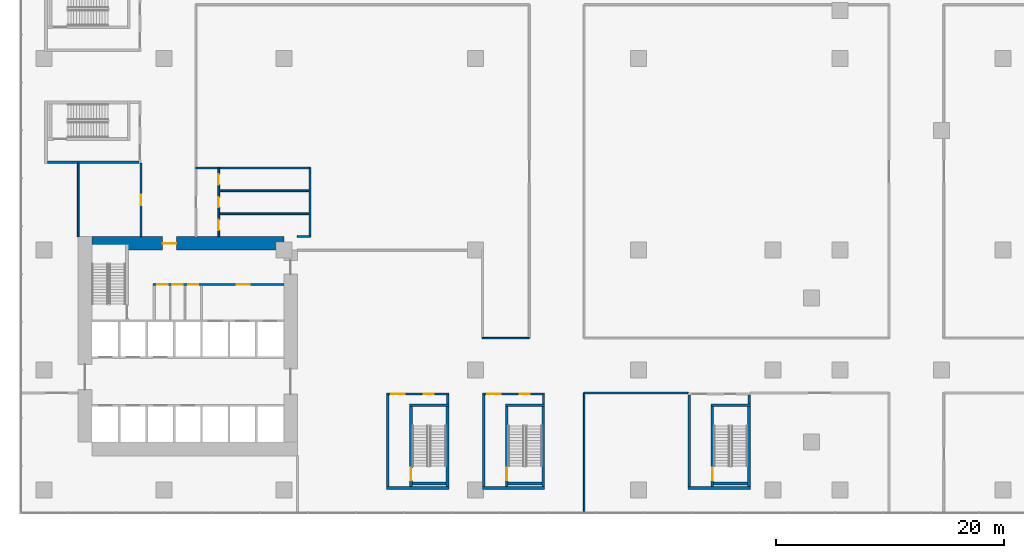
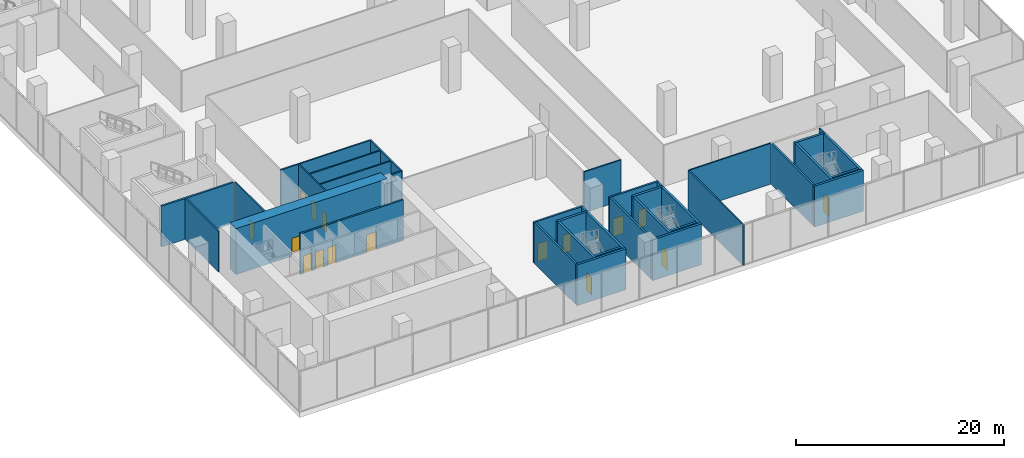
# One storey, part 13 of 22: 37 walls, 16 doors, 16 openings.
"""IFC4 building model written with IfcOpenShell, lengths in metres."""

from ifc_helpers import new_model, si_unit, direction, frame, frame_2d, origin, place, context, subcontext, project, spatial, rectangle, extrude, source, transform, mapped, material, layer, layer_set, type_object, element, fill, save


model = new_model("IFC4")

# Units and contexts
model_context = context("Model", 3, precision=1e-05, world=origin(), true_north=direction((0.0, 1.0)))
body_context = subcontext(model_context, "Body", "Model", "MODEL_VIEW")
ifc_project = project(units=[si_unit("LENGTHUNIT", "METRE"), si_unit("AREAUNIT", "SQUARE_METRE"), si_unit("VOLUMEUNIT", "CUBIC_METRE"), si_unit("PLANEANGLEUNIT", "RADIAN"), si_unit("MASSUNIT", "GRAM", prefix="KILO")], contexts=[model_context])

# Site, building, storey
site_placement = place(None, origin())
site = spatial("IfcSite", under=ifc_project, at=site_placement, CompositionType="ELEMENT")
building_placement = place(site_placement, origin())
building = spatial("IfcBuilding", under=site, at=building_placement, Name="Aurelian Terraces", CompositionType="ELEMENT")
storey_placement = place(building_placement, frame((0.0, 0.0, 7.5)))
storey = spatial("IfcBuildingStorey", under=building, at=storey_placement, Name="L01", CompositionType="ELEMENT", Elevation=7.5)

# Wall, openings, doors
ifc_material_1 = material(Name="Gypsum board on steel studs", Category="steel")
ifc_layer_1 = layer(ifc_material_1, 0.2)
ifc_layer_set_1 = layer_set([ifc_layer_1], Name="Core partition 200")
wall_type_1 = type_object("IfcWallType", Name="Core partition 200", PredefinedType="PARTITIONING", material=ifc_layer_set_1)
wall_1_placement = place(storey_placement, frame((9.55, 18.0, 0.0), z_axis=(0.0, 0.0, 1.0), x_axis=(1.0, 0.0, 0.0)))
wall_1 = element("IfcWall", 1, at=wall_1_placement, inside=storey, type_object=wall_type_1, Name="L01 core wall CP-NORTH", PredefinedType="PARTITIONING", context=body_context, shape_type="SweptSolid", body=[
    extrude(rectangle(XDim=11.45, YDim=0.2, at=frame_2d((5.725, 0.0))), origin(), (0.0, 0.0, 1.0), 4.8),
])
shared_shape_1 = source(origin(), body_context, "Body", "SweptSolid", [
    extrude(rectangle(XDim=0.9, YDim=2.1, at=frame_2d((0.45, 1.05))), frame((0.0, 0.11, 0.0), z_axis=(0.0, -1.0, 0.0), x_axis=(1.0, 0.0, 0.0)), (0.0, 0.0, 1.0), 0.22),
])
opening_1_placement = place(wall_1_placement, frame((0.375, 0.0, 0.0)))
opening_1 = element("IfcOpeningElement", 2, at=opening_1_placement, cuts=wall_1, Name="Opening 60411", PredefinedType="OPENING", context=body_context, shape_type="MappedRepresentation", body=[
    mapped(shared_shape_1, transform((0.0, 0.0, 0.0), scale=1.0)),
])
opening_2_placement = place(wall_1_placement, frame((1.7, 0.0, 0.0)))
opening_2 = element("IfcOpeningElement", 3, at=opening_2_placement, cuts=wall_1, Name="Opening 60412", PredefinedType="OPENING", context=body_context, shape_type="MappedRepresentation", body=[
    mapped(shared_shape_1, transform((0.0, 0.0, 0.0), scale=1.0)),
])
opening_3_placement = place(wall_1_placement, frame((3.075, 0.0, 0.0)))
opening_3 = element("IfcOpeningElement", 4, at=opening_3_placement, cuts=wall_1, Name="Opening 60413", PredefinedType="OPENING", context=body_context, shape_type="MappedRepresentation", body=[
    mapped(shared_shape_1, transform((0.0, 0.0, 0.0), scale=1.0)),
])
shared_shape_2 = source(origin(), body_context, "Body", "SweptSolid", [
    extrude(rectangle(XDim=1.1, YDim=2.1, at=frame_2d((0.55, 1.05))), frame((0.0, 0.11, 0.0), z_axis=(0.0, -1.0, 0.0), x_axis=(1.0, 0.0, 0.0)), (0.0, 0.0, 1.0), 0.22),
])
opening_4_placement = place(wall_1_placement, frame((7.35, 0.0, 0.0)))
opening_4 = element("IfcOpeningElement", 5, at=opening_4_placement, cuts=wall_1, Name="Opening 60414", PredefinedType="OPENING", context=body_context, shape_type="MappedRepresentation", body=[
    mapped(shared_shape_2, transform((0.0, 0.0, 0.0), scale=1.0)),
])
ifc_material_2 = material(Name="Steel door leaf", Category="steel")
door_type_1 = type_object("IfcDoorType", Name="Core riser door 900x2100 right", OperationType="SINGLE_SWING_RIGHT", PredefinedType="DOOR", material=ifc_material_2)
shared_shape_3 = source(origin(), body_context, "Body", "SweptSolid", [
    extrude(rectangle(XDim=0.9, YDim=2.1, at=frame_2d((0.45, 1.05))), frame((0.0, 0.025, 0.0), z_axis=(0.0, -1.0, 0.0), x_axis=(1.0, 0.0, 0.0)), (0.0, 0.0, 1.0), 0.05),
])
door_1_placement = place(opening_1_placement, origin())
door_1 = element("IfcDoor", 6, at=door_1_placement, inside=storey, type_object=door_type_1, Name="Room door 60411", OperationType="SINGLE_SWING_RIGHT", OverallHeight=2.1, OverallWidth=0.9, PredefinedType="DOOR", context=body_context, shape_type="MappedRepresentation", body=[
    mapped(shared_shape_3, transform((0.0, 0.0, 0.0), scale=1.0)),
])
fill(opening_1, door_1)
door_type_2 = type_object("IfcDoorType", Name="Core service door 900x2100", OperationType="SINGLE_SWING_LEFT", PredefinedType="DOOR", material=ifc_material_2)
door_2_placement = place(opening_2_placement, origin())
door_2 = element("IfcDoor", 7, at=door_2_placement, inside=storey, type_object=door_type_2, Name="Room door 60412", OperationType="SINGLE_SWING_LEFT", OverallHeight=2.1, OverallWidth=0.9, PredefinedType="DOOR", context=body_context, shape_type="MappedRepresentation", body=[
    mapped(shared_shape_3, transform((0.0, 0.0, 0.0), scale=1.0)),
])
fill(opening_2, door_2)
door_type_3 = type_object("IfcDoorType", Name="Core service door 900x2100 right", OperationType="SINGLE_SWING_RIGHT", PredefinedType="DOOR", material=ifc_material_2)
door_3_placement = place(opening_3_placement, origin())
door_3 = element("IfcDoor", 8, at=door_3_placement, inside=storey, type_object=door_type_3, Name="Room door 60413", OperationType="SINGLE_SWING_RIGHT", OverallHeight=2.1, OverallWidth=0.9, PredefinedType="DOOR", context=body_context, shape_type="MappedRepresentation", body=[
    mapped(shared_shape_3, transform((0.0, 0.0, 0.0), scale=1.0)),
])
fill(opening_3, door_3)
door_type_4 = type_object("IfcDoorType", Name="Core fire door 1100x2100", OperationType="SINGLE_SWING_LEFT", PredefinedType="DOOR", material=ifc_material_2)
shared_shape_4 = source(origin(), body_context, "Body", "SweptSolid", [
    extrude(rectangle(XDim=1.1, YDim=2.1, at=frame_2d((0.55, 1.05))), frame((0.0, 0.025, 0.0), z_axis=(0.0, -1.0, 0.0), x_axis=(1.0, 0.0, 0.0)), (0.0, 0.0, 1.0), 0.05),
])
door_4_placement = place(opening_4_placement, origin())
door_4 = element("IfcDoor", 9, at=door_4_placement, inside=storey, type_object=door_type_4, Name="Ff lobby door 60414", OperationType="SINGLE_SWING_LEFT", OverallHeight=2.1, OverallWidth=1.1, PredefinedType="DOOR", context=body_context, shape_type="MappedRepresentation", body=[
    mapped(shared_shape_4, transform((0.0, 0.0, 0.0), scale=1.0)),
])
fill(opening_4, door_4)

# Wall
wall_2_placement = place(storey_placement, frame((38.5, 0.3, 0.0), z_axis=(0.0, 0.0, 1.0), x_axis=(0.0, 1.0, 0.0)))
element("IfcWall", 10, at=wall_2_placement, inside=storey, type_object=wall_type_1, Name="L01 core wall ST-S2-VW", PredefinedType="PARTITIONING", context=body_context, shape_type="SweptSolid", body=[
    extrude(rectangle(XDim=8.0, YDim=0.2, at=frame_2d((4.0, 0.0))), origin(), (0.0, 0.0, 1.0), 4.8),
])

# Wall, openings, doors
wall_3_placement = place(storey_placement, frame((38.4, 8.4, 0.0), z_axis=(0.0, 0.0, 1.0), x_axis=(1.0, 0.0, 0.0)))
wall_3 = element("IfcWall", 11, at=wall_3_placement, inside=storey, type_object=wall_type_1, Name="L01 core wall ST-S2-BN", PredefinedType="PARTITIONING", context=body_context, shape_type="SweptSolid", body=[
    extrude(rectangle(XDim=5.45, YDim=0.2, at=frame_2d((2.725, 0.0))), origin(), (0.0, 0.0, 1.0), 4.8),
])
shared_shape_5 = source(origin(), body_context, "Body", "SweptSolid", [
    extrude(rectangle(XDim=1.2, YDim=2.1, at=frame_2d((0.6, 1.05))), frame((0.0, 0.11, 0.0), z_axis=(0.0, -1.0, 0.0), x_axis=(1.0, 0.0, 0.0)), (0.0, 0.0, 1.0), 0.22),
])
opening_5_placement = place(wall_3_placement, frame((0.4, 0.0, 0.0)))
opening_5 = element("IfcOpeningElement", 12, at=opening_5_placement, cuts=wall_3, Name="Opening 60416", PredefinedType="OPENING", context=body_context, shape_type="MappedRepresentation", body=[
    mapped(shared_shape_5, transform((0.0, 0.0, 0.0), scale=1.0)),
])
opening_6_placement = place(wall_3_placement, frame((3.25, 0.0, 0.0)))
opening_6 = element("IfcOpeningElement", 13, at=opening_6_placement, cuts=wall_3, Name="Opening 60417", PredefinedType="OPENING", context=body_context, shape_type="MappedRepresentation", body=[
    mapped(shared_shape_1, transform((0.0, 0.0, 0.0), scale=1.0)),
])
door_5_placement = place(opening_6_placement, origin())
door_5 = element("IfcDoor", 14, at=door_5_placement, inside=storey, type_object=door_type_1, Name="Riser door 60417", OperationType="SINGLE_SWING_RIGHT", OverallHeight=2.1, OverallWidth=0.9, PredefinedType="DOOR", context=body_context, shape_type="MappedRepresentation", body=[
    mapped(shared_shape_3, transform((0.0, 0.0, 0.0), scale=1.0)),
])
fill(opening_6, door_5)
door_type_5 = type_object("IfcDoorType", Name="Core fire door 1200x2100", OperationType="SINGLE_SWING_LEFT", PredefinedType="DOOR", material=ifc_material_2)
shared_shape_6 = source(origin(), body_context, "Body", "SweptSolid", [
    extrude(rectangle(XDim=1.2, YDim=2.1, at=frame_2d((0.6, 1.05))), frame((0.0, 0.025, 0.0), z_axis=(0.0, -1.0, 0.0), x_axis=(1.0, 0.0, 0.0)), (0.0, 0.0, 1.0), 0.05),
])
door_6_placement = place(opening_5_placement, origin())
door_6 = element("IfcDoor", 15, at=door_6_placement, inside=storey, type_object=door_type_5, Name="Vestibule door 60416", OperationType="SINGLE_SWING_LEFT", OverallHeight=2.1, OverallWidth=1.2, PredefinedType="DOOR", context=body_context, shape_type="MappedRepresentation", body=[
    mapped(shared_shape_6, transform((0.0, 0.0, 0.0), scale=1.0)),
])
fill(opening_5, door_6)

# Walls
wall_4_placement = place(storey_placement, frame((43.75, 7.55, 0.0), z_axis=(0.0, 0.0, 1.0), x_axis=(0.0, 1.0, 0.0)))
element("IfcWall", 16, at=wall_4_placement, inside=storey, type_object=wall_type_1, Name="L01 core wall ST-S2-RE", PredefinedType="PARTITIONING", context=body_context, shape_type="SweptSolid", body=[
    extrude(rectangle(XDim=0.75, YDim=0.2, at=frame_2d((0.375, 0.0))), origin(), (0.0, 0.0, 1.0), 4.8),
])
ifc_layer_2 = layer(ifc_material_1, 0.15)
ifc_layer_set_2 = layer_set([ifc_layer_2], Name="Special partition 150")
wall_type_2 = type_object("IfcWallType", Name="Special partition 150", PredefinedType="PARTITIONING", material=ifc_layer_set_2)
wall_5_placement = place(storey_placement, frame((47.3, 8.5, 0.0), z_axis=(0.0, 0.0, 1.0), x_axis=(1.0, 0.0, 0.0)))
element("IfcWall", 17, at=wall_5_placement, inside=storey, type_object=wall_type_2, Name="L01 partition W02", PredefinedType="PARTITIONING", context=body_context, shape_type="SweptSolid", body=[
    extrude(rectangle(XDim=9.1, YDim=0.15, at=frame_2d((4.55, 0.0))), origin(), (0.0, 0.0, 1.0), 4.8),
])
wall_6_placement = place(storey_placement, frame((38.4, 13.3, 0.0), z_axis=(0.0, 0.0, 1.0), x_axis=(1.0, 0.0, 0.0)))
element("IfcWall", 18, at=wall_6_placement, inside=storey, type_object=wall_type_2, Name="L01 partition W05", PredefinedType="PARTITIONING", context=body_context, shape_type="SweptSolid", body=[
    extrude(rectangle(XDim=4.1, YDim=0.15, at=frame_2d((2.05, 0.0))), origin(), (0.0, 0.0, 1.0), 4.8),
])
wall_7_placement = place(storey_placement, frame((22.2, 22.2, 0.0), z_axis=(0.0, 0.0, 1.0), x_axis=(1.0, 0.0, 0.0)))
element("IfcWall", 19, at=wall_7_placement, inside=storey, type_object=wall_type_2, Name="L01 partition W09", PredefinedType="PARTITIONING", context=body_context, shape_type="SweptSolid", body=[
    extrude(rectangle(XDim=1.1, YDim=0.15, at=frame_2d((0.55, 0.0))), origin(), (0.0, 0.0, 1.0), 4.8),
])
wall_8_placement = place(storey_placement, frame((15.3, 24.2, 0.0), z_axis=(0.0, 0.0, 1.0), x_axis=(1.0, 0.0, 0.0)))
element("IfcWall", 20, at=wall_8_placement, inside=storey, type_object=wall_type_2, Name="L01 partition W10", PredefinedType="PARTITIONING", context=body_context, shape_type="SweptSolid", body=[
    extrude(rectangle(XDim=8.0, YDim=0.15, at=frame_2d((4.0, 0.0))), origin(), (0.0, 0.0, 1.0), 4.8),
])
wall_9_placement = place(storey_placement, frame((13.3, 28.2, 0.0), z_axis=(0.0, 0.0, 1.0), x_axis=(1.0, 0.0, 0.0)))
element("IfcWall", 21, at=wall_9_placement, inside=storey, type_object=wall_type_2, Name="L01 partition W12", PredefinedType="PARTITIONING", context=body_context, shape_type="SweptSolid", body=[
    extrude(rectangle(XDim=10.0, YDim=0.15, at=frame_2d((5.0, 0.0))), origin(), (0.0, 0.0, 1.0), 4.8),
])
wall_10_placement = place(storey_placement, frame((3.0, 22.2, 0.0), z_axis=(0.0, 0.0, 1.0), x_axis=(0.0, 1.0, 0.0)))
element("IfcWall", 22, at=wall_10_placement, inside=storey, type_object=wall_type_2, Name="L01 partition W26", PredefinedType="PARTITIONING", context=body_context, shape_type="SweptSolid", body=[
    extrude(rectangle(XDim=6.4, YDim=0.15, at=frame_2d((3.2, 0.0))), origin(), (0.0, 0.0, 1.0), 4.8),
])

# Wall, openings, doors
wall_11_placement = place(storey_placement, frame((15.3, 22.2, 0.0), z_axis=(0.0, 0.0, 1.0), x_axis=(0.0, 1.0, 0.0)))
wall_11 = element("IfcWall", 23, at=wall_11_placement, inside=storey, type_object=wall_type_2, Name="L01 partition W34", PredefinedType="PARTITIONING", context=body_context, shape_type="SweptSolid", body=[
    extrude(rectangle(XDim=6.0, YDim=0.15, at=frame_2d((3.0, 0.0))), origin(), (0.0, 0.0, 1.0), 4.8),
])
shared_shape_7 = source(origin(), body_context, "Body", "SweptSolid", [
    extrude(rectangle(XDim=0.9, YDim=2.1, at=frame_2d((0.45, 1.05))), frame((0.0, 0.085, 0.0), z_axis=(0.0, -1.0, 0.0), x_axis=(1.0, 0.0, 0.0)), (0.0, 0.0, 1.0), 0.17),
])
opening_7_placement = place(wall_11_placement, frame((0.55, 0.0, 0.0)))
opening_7 = element("IfcOpeningElement", 24, at=opening_7_placement, cuts=wall_11, Name="Opening 70410", PredefinedType="OPENING", context=body_context, shape_type="MappedRepresentation", body=[
    mapped(shared_shape_7, transform((0.0, 0.0, 0.0), scale=1.0)),
])
opening_8_placement = place(wall_11_placement, frame((2.55, 0.0, 0.0)))
opening_8 = element("IfcOpeningElement", 25, at=opening_8_placement, cuts=wall_11, Name="Opening 70411", PredefinedType="OPENING", context=body_context, shape_type="MappedRepresentation", body=[
    mapped(shared_shape_7, transform((0.0, 0.0, 0.0), scale=1.0)),
])
opening_9_placement = place(wall_11_placement, frame((4.55, 0.0, 0.0)))
opening_9 = element("IfcOpeningElement", 26, at=opening_9_placement, cuts=wall_11, Name="Opening 70412", PredefinedType="OPENING", context=body_context, shape_type="MappedRepresentation", body=[
    mapped(shared_shape_7, transform((0.0, 0.0, 0.0), scale=1.0)),
])
ifc_material_3 = material(Name="Timber door leaf", Category="wood")
door_type_6 = type_object("IfcDoorType", Name="Special door 900x2100 right", OperationType="SINGLE_SWING_RIGHT", PredefinedType="DOOR", material=ifc_material_3)
door_7_placement = place(opening_7_placement, origin())
door_7 = element("IfcDoor", 27, at=door_7_placement, inside=storey, type_object=door_type_6, Name="Door 70410", OperationType="SINGLE_SWING_RIGHT", OverallHeight=2.1, OverallWidth=0.9, PredefinedType="DOOR", context=body_context, shape_type="MappedRepresentation", body=[
    mapped(shared_shape_3, transform((0.0, 0.0, 0.0), scale=1.0)),
])
fill(opening_7, door_7)
door_type_7 = type_object("IfcDoorType", Name="Special door 900x2100", OperationType="SINGLE_SWING_LEFT", PredefinedType="DOOR", material=ifc_material_3)
door_8_placement = place(opening_8_placement, origin())
door_8 = element("IfcDoor", 28, at=door_8_placement, inside=storey, type_object=door_type_7, Name="Door 70411", OperationType="SINGLE_SWING_LEFT", OverallHeight=2.1, OverallWidth=0.9, PredefinedType="DOOR", context=body_context, shape_type="MappedRepresentation", body=[
    mapped(shared_shape_3, transform((0.0, 0.0, 0.0), scale=1.0)),
])
fill(opening_8, door_8)
door_9_placement = place(opening_9_placement, origin())
door_9 = element("IfcDoor", 29, at=door_9_placement, inside=storey, type_object=door_type_6, Name="Door 70412", OperationType="SINGLE_SWING_RIGHT", OverallHeight=2.1, OverallWidth=0.9, PredefinedType="DOOR", context=body_context, shape_type="MappedRepresentation", body=[
    mapped(shared_shape_3, transform((0.0, 0.0, 0.0), scale=1.0)),
])
fill(opening_9, door_9)

# Wall, opening, door
ifc_material_4 = material(Name="Concrete fc' 40 MPa", Category="concrete")
ifc_layer_3 = layer(ifc_material_4, 0.25)
ifc_layer_set_3 = layer_set([ifc_layer_3], Name="Stair enclosure wall 250")
wall_type_3 = type_object("IfcWallType", Name="Stair enclosure wall 250", PredefinedType="SOLIDWALL", material=ifc_layer_set_3)
wall_12_placement = place(storey_placement, frame((40.525, 0.3, 0.0), z_axis=(0.0, 0.0, 1.0), x_axis=(0.0, 1.0, 0.0)))
wall_12 = element("IfcWall", 30, at=wall_12_placement, inside=storey, type_object=wall_type_3, Name="L01 core wall ST-S2-W", PredefinedType="SOLIDWALL", context=body_context, shape_type="SweptSolid", body=[
    extrude(rectangle(XDim=7.0, YDim=0.25, at=frame_2d((3.5, 0.0))), origin(), (0.0, 0.0, 1.0), 4.8),
])
shared_shape_8 = source(origin(), body_context, "Body", "SweptSolid", [
    extrude(rectangle(XDim=1.1, YDim=2.1, at=frame_2d((0.55, 1.05))), frame((0.0, 0.135, 0.0), z_axis=(0.0, -1.0, 0.0), x_axis=(1.0, 0.0, 0.0)), (0.0, 0.0, 1.0), 0.27),
])
opening_10_placement = place(wall_12_placement, frame((0.55, 0.0, 0.0)))
opening_10 = element("IfcOpeningElement", 31, at=opening_10_placement, cuts=wall_12, Name="Opening 60415", PredefinedType="OPENING", context=body_context, shape_type="MappedRepresentation", body=[
    mapped(shared_shape_8, transform((0.0, 0.0, 0.0), scale=1.0)),
])
door_type_8 = type_object("IfcDoorType", Name="Core fire door 1100x2100 right", OperationType="SINGLE_SWING_RIGHT", PredefinedType="DOOR", material=ifc_material_2)
door_10_placement = place(opening_10_placement, origin())
door_10 = element("IfcDoor", 32, at=door_10_placement, inside=storey, type_object=door_type_8, Name="Stair door 60415", OperationType="SINGLE_SWING_RIGHT", OverallHeight=2.1, OverallWidth=1.1, PredefinedType="DOOR", context=body_context, shape_type="MappedRepresentation", body=[
    mapped(shared_shape_4, transform((0.0, 0.0, 0.0), scale=1.0)),
])
fill(opening_10, door_10)

# Walls
wall_13_placement = place(storey_placement, frame((40.4, 7.425, 0.0), z_axis=(0.0, 0.0, 1.0), x_axis=(1.0, 0.0, 0.0)))
element("IfcWall", 33, at=wall_13_placement, inside=storey, type_object=wall_type_3, Name="L01 core wall ST-S2-N", PredefinedType="SOLIDWALL", context=body_context, shape_type="SweptSolid", body=[
    extrude(rectangle(XDim=3.45, YDim=0.25, at=frame_2d((1.725, 0.0))), origin(), (0.0, 0.0, 1.0), 4.8),
])
wall_14_placement = place(storey_placement, frame((40.65, 0.575, 0.0), z_axis=(0.0, 0.0, 1.0), x_axis=(1.0, 0.0, 0.0)))
element("IfcWall", 34, at=wall_14_placement, inside=storey, type_object=wall_type_3, Name="L01 core wall ST-S2-SS", PredefinedType="SOLIDWALL", context=body_context, shape_type="SweptSolid", body=[
    extrude(rectangle(XDim=2.95, YDim=0.25, at=frame_2d((1.475, 0.0))), origin(), (0.0, 0.0, 1.0), 4.8),
])
wall_15_placement = place(storey_placement, frame((38.4, 0.175, 0.0), z_axis=(0.0, 0.0, 1.0), x_axis=(1.0, 0.0, 0.0)))
element("IfcWall", 35, at=wall_15_placement, inside=storey, type_object=wall_type_3, Name="L01 core wall ST-S2-S", PredefinedType="SOLIDWALL", context=body_context, shape_type="SweptSolid", body=[
    extrude(rectangle(XDim=5.45, YDim=0.25, at=frame_2d((2.725, 0.0))), origin(), (0.0, 0.0, 1.0), 4.8),
])

# Wall, opening, door
ifc_material_5 = material(Name="Concrete fc' 83 MPa", Category="concrete")
ifc_layer_4 = layer(ifc_material_5, 1.2)
ifc_layer_set_4 = layer_set([ifc_layer_4], Name="CORE WALL 1200 FC83")
wall_type_4 = type_object("IfcWallType", Name="CORE WALL 1200 FC83", PredefinedType="SHEAR", material=ifc_layer_set_4)
shared_shape_9 = source(origin(), body_context, "Body", "SweptSolid", [
    extrude(rectangle(XDim=16.8, YDim=1.2, at=frame_2d((8.4, 0.0))), origin(), (0.0, 0.0, 1.0), 5.4),
])
wall_16_placement = place(storey_placement, frame((4.2, 21.6, 0.0), z_axis=(0.0, 0.0, 1.0), x_axis=(1.0, 0.0, 0.0)))
wall_16 = element("IfcWall", 36, at=wall_16_placement, inside=storey, type_object=wall_type_4, Name="Core wall N L01", PredefinedType="SHEAR", context=body_context, shape_type="MappedRepresentation", body=[
    mapped(shared_shape_9, transform((0.0, 0.0, 0.0), scale=1.0)),
])
shared_shape_10 = source(origin(), body_context, "Body", "SweptSolid", [
    extrude(rectangle(XDim=1.2, YDim=2.1, at=frame_2d((0.6, 1.05))), frame((0.0, 0.61, 0.0), z_axis=(0.0, -1.0, 0.0), x_axis=(1.0, 0.0, 0.0)), (0.0, 0.0, 1.0), 1.22),
])
opening_11_placement = place(wall_16_placement, frame((6.2, 0.0, 0.0)))
opening_11 = element("IfcOpeningElement", 37, at=opening_11_placement, cuts=wall_16, Name="Opening 60435", PredefinedType="OPENING", context=body_context, shape_type="MappedRepresentation", body=[
    mapped(shared_shape_10, transform((0.0, 0.0, 0.0), scale=1.0)),
])
door_11_placement = place(opening_11_placement, origin())
door_11 = element("IfcDoor", 38, at=door_11_placement, inside=storey, type_object=door_type_5, Name="Core door 60435", OperationType="SINGLE_SWING_LEFT", OverallHeight=2.1, OverallWidth=1.2, PredefinedType="DOOR", context=body_context, shape_type="MappedRepresentation", body=[
    mapped(shared_shape_6, transform((0.0, 0.0, 0.0), scale=1.0)),
])
fill(opening_11, door_11)

# Wall
shared_shape_11 = source(origin(), body_context, "Body", "SweptSolid", [
    extrude(rectangle(XDim=7.0, YDim=0.25, at=frame_2d((3.5, 0.0))), origin(), (0.0, 0.0, 1.0), 4.8),
])
wall_17_placement = place(storey_placement, frame((43.725, 0.3, 0.0), z_axis=(0.0, 0.0, 1.0), x_axis=(0.0, 1.0, 0.0)))
element("IfcWall", 39, at=wall_17_placement, inside=storey, type_object=wall_type_3, Name="L01 core wall ST-S2-E", PredefinedType="SOLIDWALL", context=body_context, shape_type="MappedRepresentation", body=[
    mapped(shared_shape_11, transform((0.0, 0.0, 0.0), scale=1.0)),
])

# Wall, opening, door
wall_18_placement = place(storey_placement, frame((58.525, 0.3, 0.0), z_axis=(0.0, 0.0, 1.0), x_axis=(0.0, 1.0, 0.0)))
wall_18 = element("IfcWall", 40, at=wall_18_placement, inside=storey, type_object=wall_type_3, Name="L01 core wall ST-S6-W", PredefinedType="SOLIDWALL", context=body_context, shape_type="MappedRepresentation", body=[
    mapped(shared_shape_11, transform((0.0, 0.0, 0.0), scale=1.0)),
])
opening_12_placement = place(wall_18_placement, frame((0.55, 0.0, 0.0)))
opening_12 = element("IfcOpeningElement", 41, at=opening_12_placement, cuts=wall_18, Name="Opening 60427", PredefinedType="OPENING", context=body_context, shape_type="MappedRepresentation", body=[
    mapped(shared_shape_8, transform((0.0, 0.0, 0.0), scale=1.0)),
])
door_12_placement = place(opening_12_placement, origin())
door_12 = element("IfcDoor", 42, at=door_12_placement, inside=storey, type_object=door_type_8, Name="Stair door 60427", OperationType="SINGLE_SWING_RIGHT", OverallHeight=2.1, OverallWidth=1.1, PredefinedType="DOOR", context=body_context, shape_type="MappedRepresentation", body=[
    mapped(shared_shape_4, transform((0.0, 0.0, 0.0), scale=1.0)),
])
fill(opening_12, door_12)

# Wall
wall_19_placement = place(storey_placement, frame((61.725, 0.3, 0.0), z_axis=(0.0, 0.0, 1.0), x_axis=(0.0, 1.0, 0.0)))
element("IfcWall", 43, at=wall_19_placement, inside=storey, type_object=wall_type_3, Name="L01 core wall ST-S6-E", PredefinedType="SOLIDWALL", context=body_context, shape_type="MappedRepresentation", body=[
    mapped(shared_shape_11, transform((0.0, 0.0, 0.0), scale=1.0)),
])

# Wall, opening, door
wall_20_placement = place(storey_placement, frame((32.125, 0.3, 0.0), z_axis=(0.0, 0.0, 1.0), x_axis=(0.0, 1.0, 0.0)))
wall_20 = element("IfcWall", 44, at=wall_20_placement, inside=storey, type_object=wall_type_3, Name="L01 core wall ST-S7-W", PredefinedType="SOLIDWALL", context=body_context, shape_type="MappedRepresentation", body=[
    mapped(shared_shape_11, transform((0.0, 0.0, 0.0), scale=1.0)),
])
opening_13_placement = place(wall_20_placement, frame((0.55, 0.0, 0.0)))
opening_13 = element("IfcOpeningElement", 45, at=opening_13_placement, cuts=wall_20, Name="Opening 60430", PredefinedType="OPENING", context=body_context, shape_type="MappedRepresentation", body=[
    mapped(shared_shape_8, transform((0.0, 0.0, 0.0), scale=1.0)),
])
door_13_placement = place(opening_13_placement, origin())
door_13 = element("IfcDoor", 46, at=door_13_placement, inside=storey, type_object=door_type_4, Name="Stair door 60430", OperationType="SINGLE_SWING_LEFT", OverallHeight=2.1, OverallWidth=1.1, PredefinedType="DOOR", context=body_context, shape_type="MappedRepresentation", body=[
    mapped(shared_shape_4, transform((0.0, 0.0, 0.0), scale=1.0)),
])
fill(opening_13, door_13)

# Walls
wall_21_placement = place(storey_placement, frame((35.325, 0.3, 0.0), z_axis=(0.0, 0.0, 1.0), x_axis=(0.0, 1.0, 0.0)))
element("IfcWall", 47, at=wall_21_placement, inside=storey, type_object=wall_type_3, Name="L01 core wall ST-S7-E", PredefinedType="SOLIDWALL", context=body_context, shape_type="MappedRepresentation", body=[
    mapped(shared_shape_11, transform((0.0, 0.0, 0.0), scale=1.0)),
])
shared_shape_12 = source(origin(), body_context, "Body", "SweptSolid", [
    extrude(rectangle(XDim=3.45, YDim=0.25, at=frame_2d((1.725, 0.0))), origin(), (0.0, 0.0, 1.0), 4.8),
])
for number, where, z_axis, x_axis, name in (
    (48, (58.4, 7.425, 0.0), (0.0, 0.0, 1.0), (1.0, 0.0, 0.0), "L01 core wall ST-S6-N"),
    (49, (32.0, 7.425, 0.0), (0.0, 0.0, 1.0), (1.0, 0.0, 0.0), "L01 core wall ST-S7-N"),
):
    element("IfcWall", number, at=place(storey_placement, frame(where, z_axis=z_axis, x_axis=x_axis)), inside=storey, type_object=wall_type_3, Name=name, PredefinedType="SOLIDWALL", context=body_context, shape_type="MappedRepresentation", body=[
        mapped(shared_shape_12, transform((0.0, 0.0, 0.0), scale=1.0)),
    ])
shared_shape_13 = source(origin(), body_context, "Body", "SweptSolid", [
    extrude(rectangle(XDim=2.95, YDim=0.25, at=frame_2d((1.475, 0.0))), origin(), (0.0, 0.0, 1.0), 4.8),
])
for number, where, z_axis, x_axis, name in (
    (50, (58.65, 0.575, 0.0), (0.0, 0.0, 1.0), (1.0, 0.0, 0.0), "L01 core wall ST-S6-SS"),
    (51, (32.25, 0.575, 0.0), (0.0, 0.0, 1.0), (1.0, 0.0, 0.0), "L01 core wall ST-S7-SS"),
):
    element("IfcWall", number, at=place(storey_placement, frame(where, z_axis=z_axis, x_axis=x_axis)), inside=storey, type_object=wall_type_3, Name=name, PredefinedType="SOLIDWALL", context=body_context, shape_type="MappedRepresentation", body=[
        mapped(shared_shape_13, transform((0.0, 0.0, 0.0), scale=1.0)),
    ])
shared_shape_14 = source(origin(), body_context, "Body", "SweptSolid", [
    extrude(rectangle(XDim=8.0, YDim=0.2, at=frame_2d((4.0, 0.0))), origin(), (0.0, 0.0, 1.0), 4.8),
])
for number, where, z_axis, x_axis, name in (
    (52, (0.3, 28.7, 0.0), (0.0, 0.0, 1.0), (1.0, 0.0, 0.0), "L01 core wall ST-S4-VW"),
    (53, (56.5, 0.3, 0.0), (0.0, 0.0, 1.0), (0.0, 1.0, 0.0), "L01 core wall ST-S6-VW"),
    (54, (30.1, 0.3, 0.0), (0.0, 0.0, 1.0), (0.0, 1.0, 0.0), "L01 core wall ST-S7-VW"),
):
    element("IfcWall", number, at=place(storey_placement, frame(where, z_axis=z_axis, x_axis=x_axis)), inside=storey, type_object=wall_type_1, Name=name, PredefinedType="PARTITIONING", context=body_context, shape_type="MappedRepresentation", body=[
        mapped(shared_shape_14, transform((0.0, 0.0, 0.0), scale=1.0)),
    ])

# Wall, openings, doors
shared_shape_15 = source(origin(), body_context, "Body", "SweptSolid", [
    extrude(rectangle(XDim=5.45, YDim=0.2, at=frame_2d((2.725, 0.0))), origin(), (0.0, 0.0, 1.0), 4.8),
])
wall_22_placement = place(storey_placement, frame((30.0, 8.4, 0.0), z_axis=(0.0, 0.0, 1.0), x_axis=(1.0, 0.0, 0.0)))
wall_22 = element("IfcWall", 55, at=wall_22_placement, inside=storey, type_object=wall_type_1, Name="L01 core wall ST-S7-BN", PredefinedType="PARTITIONING", context=body_context, shape_type="MappedRepresentation", body=[
    mapped(shared_shape_15, transform((0.0, 0.0, 0.0), scale=1.0)),
])
opening_14_placement = place(wall_22_placement, frame((0.4, 0.0, 0.0)))
opening_14 = element("IfcOpeningElement", 56, at=opening_14_placement, cuts=wall_22, Name="Opening 60431", PredefinedType="OPENING", context=body_context, shape_type="MappedRepresentation", body=[
    mapped(shared_shape_5, transform((0.0, 0.0, 0.0), scale=1.0)),
])
opening_15_placement = place(wall_22_placement, frame((3.25, 0.0, 0.0)))
opening_15 = element("IfcOpeningElement", 57, at=opening_15_placement, cuts=wall_22, Name="Opening 60432", PredefinedType="OPENING", context=body_context, shape_type="MappedRepresentation", body=[
    mapped(shared_shape_1, transform((0.0, 0.0, 0.0), scale=1.0)),
])
door_type_9 = type_object("IfcDoorType", Name="Core riser door 900x2100", OperationType="SINGLE_SWING_LEFT", PredefinedType="DOOR", material=ifc_material_2)
door_14_placement = place(opening_15_placement, origin())
door_14 = element("IfcDoor", 58, at=door_14_placement, inside=storey, type_object=door_type_9, Name="Riser door 60432", OperationType="SINGLE_SWING_LEFT", OverallHeight=2.1, OverallWidth=0.9, PredefinedType="DOOR", context=body_context, shape_type="MappedRepresentation", body=[
    mapped(shared_shape_3, transform((0.0, 0.0, 0.0), scale=1.0)),
])
fill(opening_15, door_14)
door_type_10 = type_object("IfcDoorType", Name="Core fire door 1200x2100 right", OperationType="SINGLE_SWING_RIGHT", PredefinedType="DOOR", material=ifc_material_2)
door_15_placement = place(opening_14_placement, origin())
door_15 = element("IfcDoor", 59, at=door_15_placement, inside=storey, type_object=door_type_10, Name="Vestibule door 60431", OperationType="SINGLE_SWING_RIGHT", OverallHeight=2.1, OverallWidth=1.2, PredefinedType="DOOR", context=body_context, shape_type="MappedRepresentation", body=[
    mapped(shared_shape_6, transform((0.0, 0.0, 0.0), scale=1.0)),
])
fill(opening_14, door_15)

# Walls
shared_shape_16 = source(origin(), body_context, "Body", "SweptSolid", [
    extrude(rectangle(XDim=0.75, YDim=0.2, at=frame_2d((0.375, 0.0))), origin(), (0.0, 0.0, 1.0), 4.8),
])
for number, where, z_axis, x_axis, name in (
    (60, (61.75, 7.55, 0.0), (0.0, 0.0, 1.0), (0.0, 1.0, 0.0), "L01 core wall ST-S6-RE"),
    (61, (35.35, 7.55, 0.0), (0.0, 0.0, 1.0), (0.0, 1.0, 0.0), "L01 core wall ST-S7-RE"),
):
    element("IfcWall", number, at=place(storey_placement, frame(where, z_axis=z_axis, x_axis=x_axis)), inside=storey, type_object=wall_type_1, Name=name, PredefinedType="PARTITIONING", context=body_context, shape_type="MappedRepresentation", body=[
        mapped(shared_shape_16, transform((0.0, 0.0, 0.0), scale=1.0)),
    ])
shared_shape_17 = source(origin(), body_context, "Body", "SweptSolid", [
    extrude(rectangle(XDim=5.45, YDim=0.25, at=frame_2d((2.725, 0.0))), origin(), (0.0, 0.0, 1.0), 4.8),
])
for number, where, z_axis, x_axis, name in (
    (62, (56.4, 0.175, 0.0), (0.0, 0.0, 1.0), (1.0, 0.0, 0.0), "L01 core wall ST-S6-S"),
    (63, (30.0, 0.175, 0.0), (0.0, 0.0, 1.0), (1.0, 0.0, 0.0), "L01 core wall ST-S7-S"),
):
    element("IfcWall", number, at=place(storey_placement, frame(where, z_axis=z_axis, x_axis=x_axis)), inside=storey, type_object=wall_type_3, Name=name, PredefinedType="SOLIDWALL", context=body_context, shape_type="MappedRepresentation", body=[
        mapped(shared_shape_17, transform((0.0, 0.0, 0.0), scale=1.0)),
    ])
shared_shape_18 = source(origin(), body_context, "Body", "SweptSolid", [
    extrude(rectangle(XDim=8.0, YDim=0.15, at=frame_2d((4.0, 0.0))), origin(), (0.0, 0.0, 1.0), 4.8),
])
wall_23_placement = place(storey_placement, frame((15.3, 26.2, 0.0), z_axis=(0.0, 0.0, 1.0), x_axis=(1.0, 0.0, 0.0)))
element("IfcWall", 64, at=wall_23_placement, inside=storey, type_object=wall_type_2, Name="L01 partition W11", PredefinedType="PARTITIONING", context=body_context, shape_type="MappedRepresentation", body=[
    mapped(shared_shape_18, transform((0.0, 0.0, 0.0), scale=1.0)),
])
shared_shape_19 = source(origin(), body_context, "Body", "SweptSolid", [
    extrude(rectangle(XDim=10.6, YDim=0.15, at=frame_2d((5.3, 0.0))), origin(), (0.0, 0.0, 1.0), 4.8),
])
wall_24_placement = place(storey_placement, frame((47.3, -2.1, 0.0), z_axis=(0.0, 0.0, 1.0), x_axis=(0.0, 1.0, 0.0)))
element("IfcWall", 65, at=wall_24_placement, inside=storey, type_object=wall_type_2, Name="L01 partition W41", PredefinedType="PARTITIONING", context=body_context, shape_type="MappedRepresentation", body=[
    mapped(shared_shape_19, transform((0.0, 0.0, 0.0), scale=1.0)),
])

# Wall, opening, door
shared_shape_20 = source(origin(), body_context, "Body", "SweptSolid", [
    extrude(rectangle(XDim=6.4, YDim=0.15, at=frame_2d((3.2, 0.0))), origin(), (0.0, 0.0, 1.0), 4.8),
])
wall_25_placement = place(storey_placement, frame((8.5, 22.2, 0.0), z_axis=(0.0, 0.0, 1.0), x_axis=(0.0, 1.0, 0.0)))
wall_25 = element("IfcWall", 66, at=wall_25_placement, inside=storey, type_object=wall_type_2, Name="L01 partition W27", PredefinedType="PARTITIONING", context=body_context, shape_type="MappedRepresentation", body=[
    mapped(shared_shape_20, transform((0.0, 0.0, 0.0), scale=1.0)),
])
opening_16_placement = place(wall_25_placement, frame((2.75, 0.0, 0.0)))
opening_16 = element("IfcOpeningElement", 67, at=opening_16_placement, cuts=wall_25, Name="Opening 70407", PredefinedType="OPENING", context=body_context, shape_type="MappedRepresentation", body=[
    mapped(shared_shape_7, transform((0.0, 0.0, 0.0), scale=1.0)),
])
door_16_placement = place(opening_16_placement, origin())
door_16 = element("IfcDoor", 68, at=door_16_placement, inside=storey, type_object=door_type_7, Name="Door 70407", OperationType="SINGLE_SWING_LEFT", OverallHeight=2.1, OverallWidth=0.9, PredefinedType="DOOR", context=body_context, shape_type="MappedRepresentation", body=[
    mapped(shared_shape_3, transform((0.0, 0.0, 0.0), scale=1.0)),
])
fill(opening_16, door_16)

# Wall
shared_shape_21 = source(origin(), body_context, "Body", "SweptSolid", [
    extrude(rectangle(XDim=6.0, YDim=0.15, at=frame_2d((3.0, 0.0))), origin(), (0.0, 0.0, 1.0), 4.8),
])
wall_26_placement = place(storey_placement, frame((23.3, 22.2, 0.0), z_axis=(0.0, 0.0, 1.0), x_axis=(0.0, 1.0, 0.0)))
element("IfcWall", 69, at=wall_26_placement, inside=storey, type_object=wall_type_2, Name="L01 partition W36", PredefinedType="PARTITIONING", context=body_context, shape_type="MappedRepresentation", body=[
    mapped(shared_shape_21, transform((0.0, 0.0, 0.0), scale=1.0)),
])

save(model, "model.ifc")
